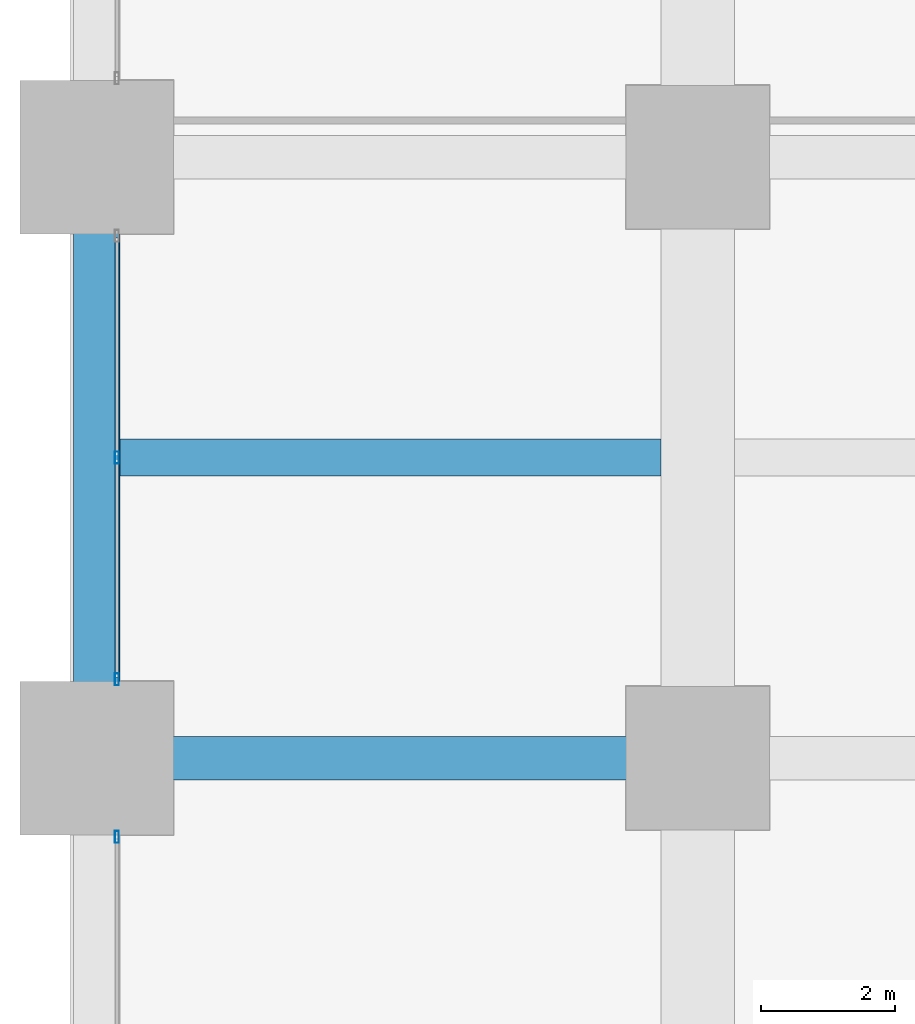
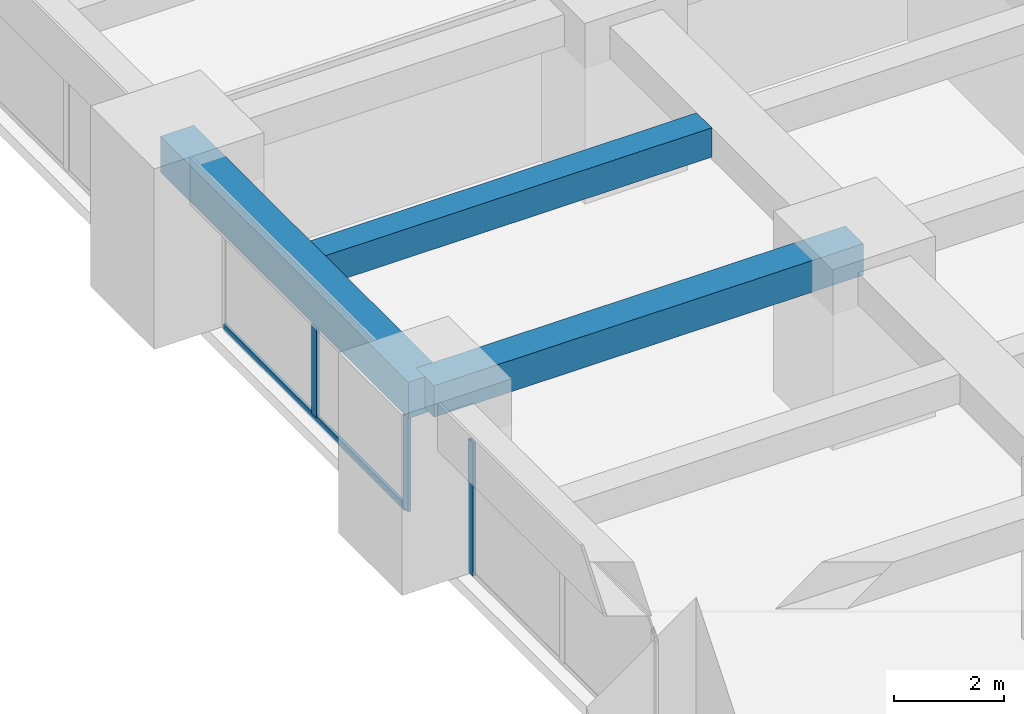
# One storey, part 11 of 44: 4 members, 3 beams, 2 elements without a shape of their own.
"""IFC4 building model written with IfcOpenShell, lengths in metres."""

from ifc_helpers import new_model, si_unit, direction, frame, origin, origin_2d, place, context, subcontext, project, spatial, rectangle, hollow_rectangle, extrude, material, material_profile, profile_set, type_object, element, aggregate, save


model = new_model("IFC4")

# Units and contexts
model_context = context("Model", 3, precision=1e-05, world=origin(), true_north=direction((0.0, 1.0)))
body_context = subcontext(model_context, "Body", "Model", "MODEL_VIEW")
ifc_project = project(units=[si_unit("LENGTHUNIT", "METRE"), si_unit("AREAUNIT", "SQUARE_METRE"), si_unit("VOLUMEUNIT", "CUBIC_METRE"), si_unit("PLANEANGLEUNIT", "RADIAN"), si_unit("MASSUNIT", "GRAM", prefix="KILO")], contexts=[model_context])

# Site, building, storey
site_placement = place(None, origin())
site = spatial("IfcSite", under=ifc_project, at=site_placement, CompositionType="ELEMENT")
building_placement = place(site_placement, origin())
building = spatial("IfcBuilding", under=site, at=building_placement, Name="Zorevar Civic Tower", CompositionType="ELEMENT")
storey_placement = place(building_placement, frame((0.0, 0.0, 59.800048828125)))
storey = spatial("IfcBuildingStorey", under=building, at=storey_placement, Name="L14", CompositionType="ELEMENT", Elevation=59.800048828125)

# Beams
ifc_material_1 = material(Name="Concrete C50/60", Category="concrete")
ifc_material_profile_1 = material_profile(ifc_material_1, rectangle(XDim=0.550048828125, YDim=0.64990234375, at=origin_2d()), Name="RC 550x650")
ifc_profile_set_1 = profile_set([ifc_material_profile_1], Name="Concrete C50/60")
beam_type_1 = type_object("IfcBeamType", Name="Beam RC 550x650", PredefinedType="BEAM", material=ifc_profile_set_1)
beam_1_placement = place(storey_placement, frame((0.35009765625, 31.5, 3.425048828125), z_axis=(1.0, 0.0, 0.0), x_axis=(0.0, 1.0, 0.0)))
element("IfcBeam", 1, at=beam_1_placement, inside=storey, type_object=beam_type_1, Name="Secondary beam L15", PredefinedType="BEAM", context=body_context, shape_type="SweptSolid", body=[
    extrude(rectangle(XDim=0.550048828125, YDim=0.64990234375, at=origin_2d()), origin(), (0.0, 0.0, 1.0), 8.099853515625),
])
ifc_material_2 = material(Name="Concrete C50/60", Category="concrete")
ifc_material_profile_2 = material_profile(ifc_material_2, rectangle(XDim=0.64990234375, YDim=0.699951171875, at=origin_2d()), Name="RC 650x700")
ifc_profile_set_2 = profile_set([ifc_material_profile_2], Name="Concrete C50/60")
beam_type_2 = type_object("IfcBeamType", Name="Beam RC 650x700", PredefinedType="BEAM", material=ifc_profile_set_2)
beam_2_placement = place(storey_placement, frame((0.0, 27.0, 3.39990234375), z_axis=(1.0, 0.0, 0.0), x_axis=(0.0, 1.0, 0.0)))
element("IfcBeam", 2, at=beam_2_placement, inside=storey, type_object=beam_type_2, Name="Girder L15", PredefinedType="BEAM", context=body_context, shape_type="SweptSolid", body=[
    extrude(rectangle(XDim=0.64990234375, YDim=0.699951171875, at=origin_2d()), origin(), (0.0, 0.0, 1.0), 9.0),
])

# Curtain wall, member
ifc_material_3 = material(Name="Dark grey solar-control glass in black aluminium frame", Category="aluminium")
curtain_wall_type = type_object("IfcCurtainWallType", Name="Curtain wall CW2 low zone", PredefinedType="NOTDEFINED", material=ifc_material_3)
curtain_wall_1_placement = place(storey_placement, origin())
curtain_wall_1 = element("IfcCurtainWall", 3, at=curtain_wall_1_placement, inside=storey, type_object=curtain_wall_type, Name="CW2 L14", PredefinedType="NOTDEFINED")
ifc_material_4 = material(Name="Aluminium, black anodised", Category="aluminium")
ifc_material_profile_3 = material_profile(ifc_material_4, hollow_rectangle(XDim=0.06005859375, YDim=0.179931640625, WallThickness=0.00390625, at=origin_2d()), Name="AL 180x60x4")
ifc_profile_set_3 = profile_set([ifc_material_profile_3], Name="Aluminium, black anodised")
member_type_1 = type_object("IfcMemberType", Name="CW2 mullion AL 180x60x4", PredefinedType="MULLION", material=ifc_profile_set_3)
member_1_placement = place(storey_placement, frame((0.300048828125, 25.820068359375, 0.0), z_axis=(0.0, 0.0, 1.0), x_axis=(-1.0, 0.0, 0.0)))
member_1 = element("IfcMember", 4, at=member_1_placement, type_object=member_type_1, Name="CW2 mullion 3", PredefinedType="MULLION", context=body_context, shape_type="SweptSolid", body=[
    extrude(hollow_rectangle(XDim=0.06005859375, YDim=0.179931640625, WallThickness=0.00390625, at=origin_2d()), origin(), (0.0, 0.0, 1.0), 2.949951171875),
])
aggregate(curtain_wall_1, [member_1])

# Curtain wall, members
curtain_wall_2_placement = place(storey_placement, origin())
curtain_wall_2 = element("IfcCurtainWall", 5, at=curtain_wall_2_placement, inside=storey, type_object=curtain_wall_type, Name="CW2 L14", PredefinedType="NOTDEFINED")
member_2_placement = place(storey_placement, frame((0.300048828125, 28.179931640625, 0.0), z_axis=(0.0, 0.0, 1.0), x_axis=(-1.0, 0.0, 0.0)))
member_2 = element("IfcMember", 6, at=member_2_placement, type_object=member_type_1, Name="CW2 mullion 1", PredefinedType="MULLION", context=body_context, shape_type="SweptSolid", body=[
    extrude(hollow_rectangle(XDim=0.06005859375, YDim=0.179931640625, WallThickness=0.00390625, at=origin_2d()), origin(), (0.0, 0.0, 1.0), 2.949951171875),
])
member_3_placement = place(storey_placement, frame((0.300048828125, 31.5, 0.06005859375), z_axis=(0.0, 0.0, 1.0), x_axis=(-1.0, 0.0, 0.0)))
member_3 = element("IfcMember", 7, at=member_3_placement, type_object=member_type_1, Name="CW2 mullion 2", PredefinedType="MULLION", context=body_context, shape_type="SweptSolid", body=[
    extrude(hollow_rectangle(XDim=0.06005859375, YDim=0.179931640625, WallThickness=0.00390625, at=origin_2d()), origin(), (0.0, 0.0, 1.0), 2.889892578125),
])
ifc_material_5 = material(Name="Aluminium, black anodised", Category="aluminium")
ifc_material_profile_4 = material_profile(ifc_material_5, hollow_rectangle(XDim=0.06005859375, YDim=0.14990234375, WallThickness=0.00390625, at=origin_2d()), Name="AL 150x60x4")
ifc_profile_set_4 = profile_set([ifc_material_profile_4], Name="Aluminium, black anodised")
member_type_2 = type_object("IfcMemberType", Name="CW2 transom AL 150x60x4", PredefinedType="USERDEFINED", material=ifc_profile_set_4)
member_4_placement = place(storey_placement, frame((0.300048828125, 28.2099609375, 0.030029296875), z_axis=(0.0, 1.0, 0.0), x_axis=(-1.0, 0.0, 0.0)))
member_4 = element("IfcMember", 8, at=member_4_placement, type_object=member_type_2, Name="CW2 sill transom", ObjectType="TRANSOM", PredefinedType="USERDEFINED", context=body_context, shape_type="SweptSolid", body=[
    extrude(hollow_rectangle(XDim=0.06005859375, YDim=0.14990234375, WallThickness=0.00390625, at=origin_2d()), origin(), (0.0, 0.0, 1.0), 6.580078125),
])
aggregate(curtain_wall_2, [member_2, member_3, member_4])

# Beam
ifc_material_6 = material(Name="Concrete C50/60", Category="concrete")
ifc_material_profile_5 = material_profile(ifc_material_6, rectangle(XDim=0.699951171875, YDim=0.800048828125, at=origin_2d()), Name="RC 700x800")
ifc_profile_set_5 = profile_set([ifc_material_profile_5], Name="Concrete C50/60")
beam_type_3 = type_object("IfcBeamType", Name="Edge beam RC 700x800", PredefinedType="SPANDREL", material=ifc_profile_set_5)
beam_3_placement = place(storey_placement, frame((0.0, 27.0, 3.349853515625), z_axis=(0.0, 1.0, 0.0), x_axis=(-1.0, 0.0, 0.0)))
element("IfcBeam", 9, at=beam_3_placement, inside=storey, type_object=beam_type_3, Name="Edge beam L15", PredefinedType="SPANDREL", context=body_context, shape_type="SweptSolid", body=[
    extrude(rectangle(XDim=0.699951171875, YDim=0.800048828125, at=origin_2d()), origin(), (0.0, 0.0, 1.0), 9.0),
])

save(model, "model.ifc")
